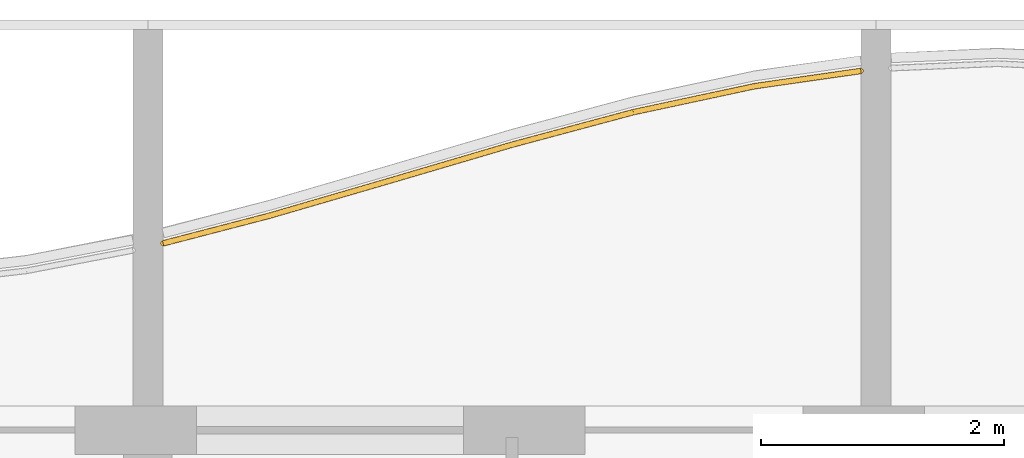
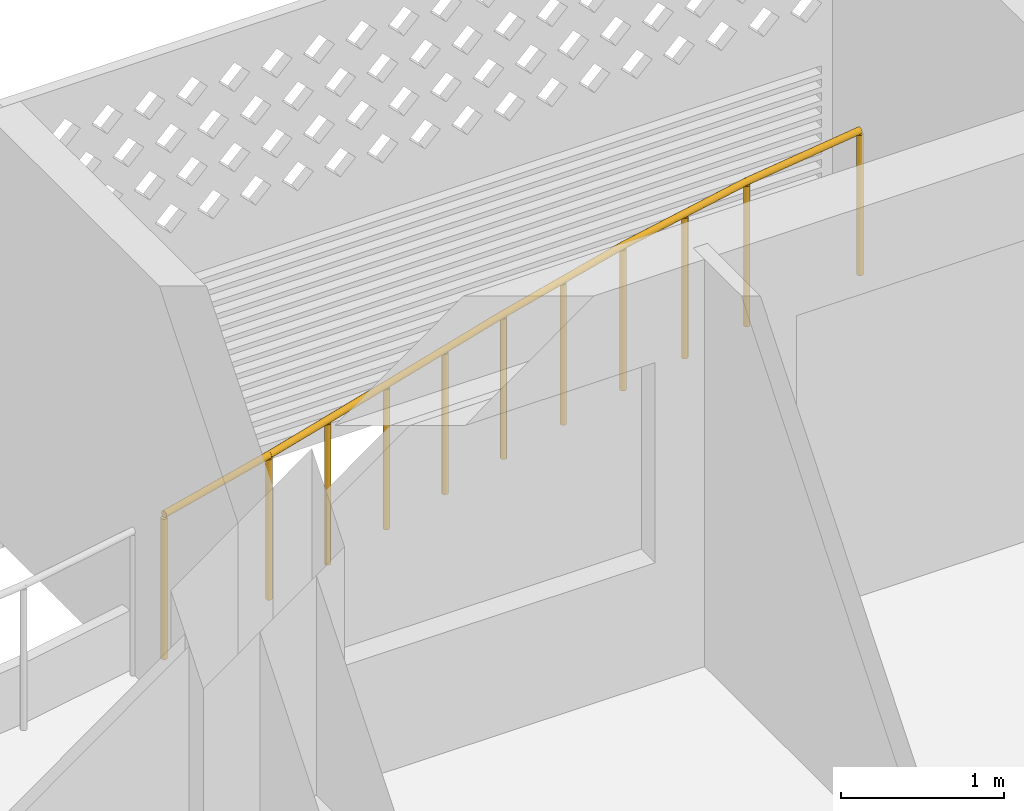
# One storey, part 37 of 40: 1 railing.
"""IFC4 building model written with IfcOpenShell, lengths in metres."""

from ifc_helpers import new_model, si_unit, direction, frame, origin, origin_2d, place, context, subcontext, project, spatial, circle, extrude, material, type_object, element, save


model = new_model("IFC4")

# Units and contexts
model_context = context("Model", 3, precision=1e-05, world=origin(), true_north=direction((0.0, 1.0)))
body_context = subcontext(model_context, "Body", "Model", "MODEL_VIEW")
ifc_project = project(units=[si_unit("LENGTHUNIT", "METRE"), si_unit("AREAUNIT", "SQUARE_METRE"), si_unit("VOLUMEUNIT", "CUBIC_METRE"), si_unit("PLANEANGLEUNIT", "RADIAN"), si_unit("MASSUNIT", "GRAM", prefix="KILO")], contexts=[model_context])

# Site, building, storey
site_placement = place(None, origin())
site = spatial("IfcSite", under=ifc_project, at=site_placement, CompositionType="ELEMENT")
building_placement = place(site_placement, origin())
building = spatial("IfcBuilding", under=site, at=building_placement, Name="Poui Terraces", CompositionType="ELEMENT")
storey_placement = place(building_placement, frame((0.0, 0.0, 33.300048828125)))
storey = spatial("IfcBuildingStorey", under=building, at=storey_placement, Name="L08", CompositionType="ELEMENT", Elevation=33.300048828125)

# Railing
ifc_material = material(Name="Painted steel fretwork", Category="steel")
railing_type = type_object("IfcRailingType", Name="BALCONY GUARD 1100", PredefinedType="GUARDRAIL", material=ifc_material)
railing_placement = place(storey_placement, frame((84.125, 46.33935546875, 0.0)))
element("IfcRailing", 1, at=railing_placement, inside=storey, type_object=railing_type, Name="BALCONY GUARD", PredefinedType="GUARDRAIL", context=body_context, shape_type="SweptSolid", body=[
    extrude(circle(Radius=0.02392578125, at=origin_2d()), frame((0.0, 0.0, 1.076171875), z_axis=(0.967811983713, 0.251674321657, 0.0), x_axis=(-0.251674321657, 0.967811983713, 0.0)), (0.0, 0.0, 1.0), 0.904052734375),
    extrude(circle(Radius=0.02392578125, at=origin_2d()), frame((0.875, 0.2275390625, 1.076171875), z_axis=(0.960167856514, 0.279423848868, 0.0), x_axis=(-0.279423848868, 0.960167856514, 0.0)), (0.0, 0.0, 1.0), 1.04150390625),
    extrude(circle(Radius=0.02392578125, at=origin_2d()), frame((1.875, 0.5185546875, 1.076171875), z_axis=(0.959283416412, 0.282445263719, 0.0), x_axis=(-0.282445263719, 0.959283416412, 0.0)), (0.0, 0.0, 1.0), 1.04248046875),
    extrude(circle(Radius=0.02392578125, at=origin_2d()), frame((2.875, 0.81298828125, 1.076171875), z_axis=(0.965897516379, 0.258924676022, 0.0), x_axis=(-0.258924676022, 0.965897516379, 0.0)), (0.0, 0.0, 1.0), 1.035400390625),
    extrude(circle(Radius=0.02392578125, at=origin_2d()), frame((3.875, 1.0810546875, 1.076171875), z_axis=(0.977837336556, 0.20936605082, 0.0), x_axis=(-0.20936605082, 0.977837336556, 0.0)), (0.0, 0.0, 1.0), 1.022705078125),
    extrude(circle(Radius=0.02392578125, at=origin_2d()), frame((4.875, 1.295166015625, 1.076171875), z_axis=(0.9898720119, 0.14196267135, 0.0), x_axis=(-0.14196267135, 0.9898720119, 0.0)), (0.0, 0.0, 1.0), 0.884033203125),
    extrude(circle(Radius=0.02099609375, at=origin_2d()), origin(), (0.0, 0.0, 1.0), 1.052001953125),
    extrude(circle(Radius=0.02099609375, at=origin_2d()), frame((0.875, 0.2275390625, 0.0)), (0.0, 0.0, 1.0), 1.052001953125),
    extrude(circle(Radius=0.02099609375, at=origin_2d()), frame((1.375, 0.373046875, 0.0)), (0.0, 0.0, 1.0), 1.052001953125),
    extrude(circle(Radius=0.02099609375, at=origin_2d()), frame((1.875, 0.5185546875, 0.0)), (0.0, 0.0, 1.0), 1.052001953125),
    extrude(circle(Radius=0.02099609375, at=origin_2d()), frame((2.375, 0.665771484375, 0.0)), (0.0, 0.0, 1.0), 1.052001953125),
    extrude(circle(Radius=0.02099609375, at=origin_2d()), frame((2.875, 0.81298828125, 0.0)), (0.0, 0.0, 1.0), 1.052001953125),
    extrude(circle(Radius=0.02099609375, at=origin_2d()), frame((3.375, 0.947021484375, 0.0)), (0.0, 0.0, 1.0), 1.052001953125),
    extrude(circle(Radius=0.02099609375, at=origin_2d()), frame((3.875, 1.0810546875, 0.0)), (0.0, 0.0, 1.0), 1.052001953125),
    extrude(circle(Radius=0.02099609375, at=origin_2d()), frame((4.375, 1.18798828125, 0.0)), (0.0, 0.0, 1.0), 1.052001953125),
    extrude(circle(Radius=0.02099609375, at=origin_2d()), frame((4.875, 1.295166015625, 0.0)), (0.0, 0.0, 1.0), 1.052001953125),
    extrude(circle(Radius=0.02099609375, at=origin_2d()), frame((5.75, 1.420654296875, 0.0)), (0.0, 0.0, 1.0), 1.052001953125),
])

save(model, "model.ifc")
